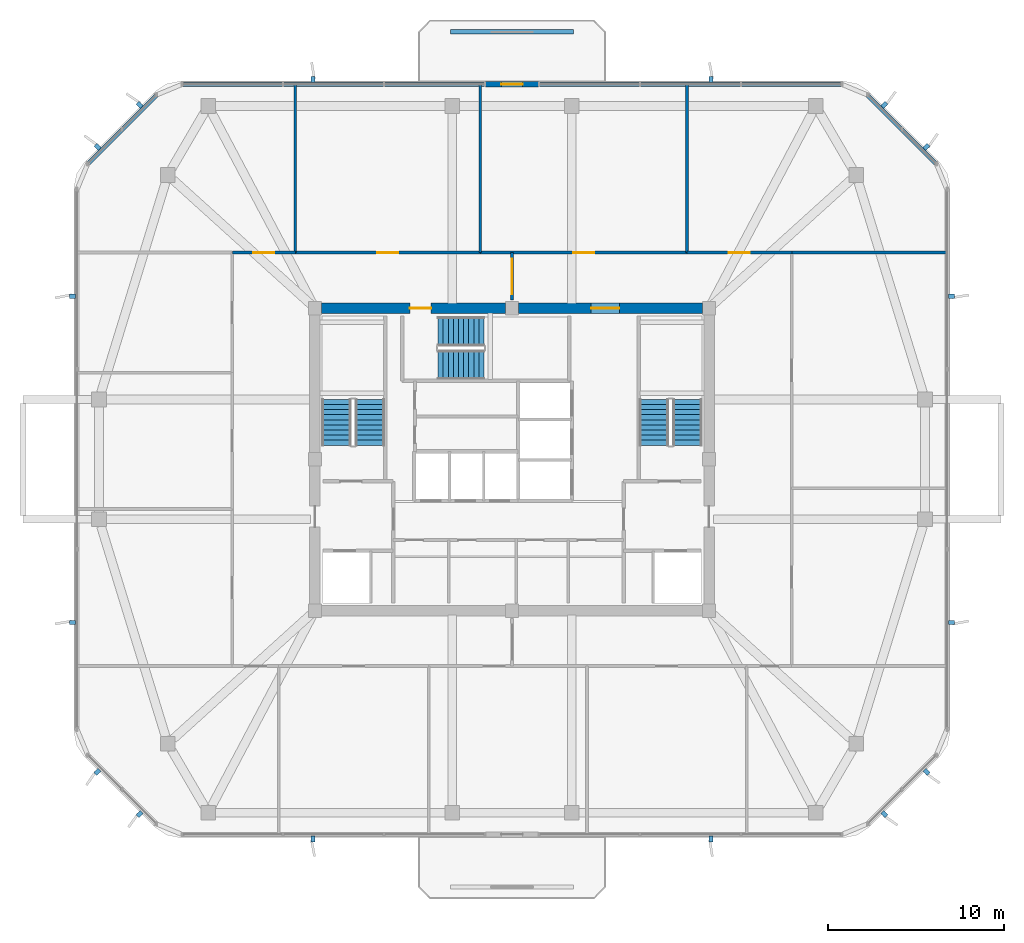
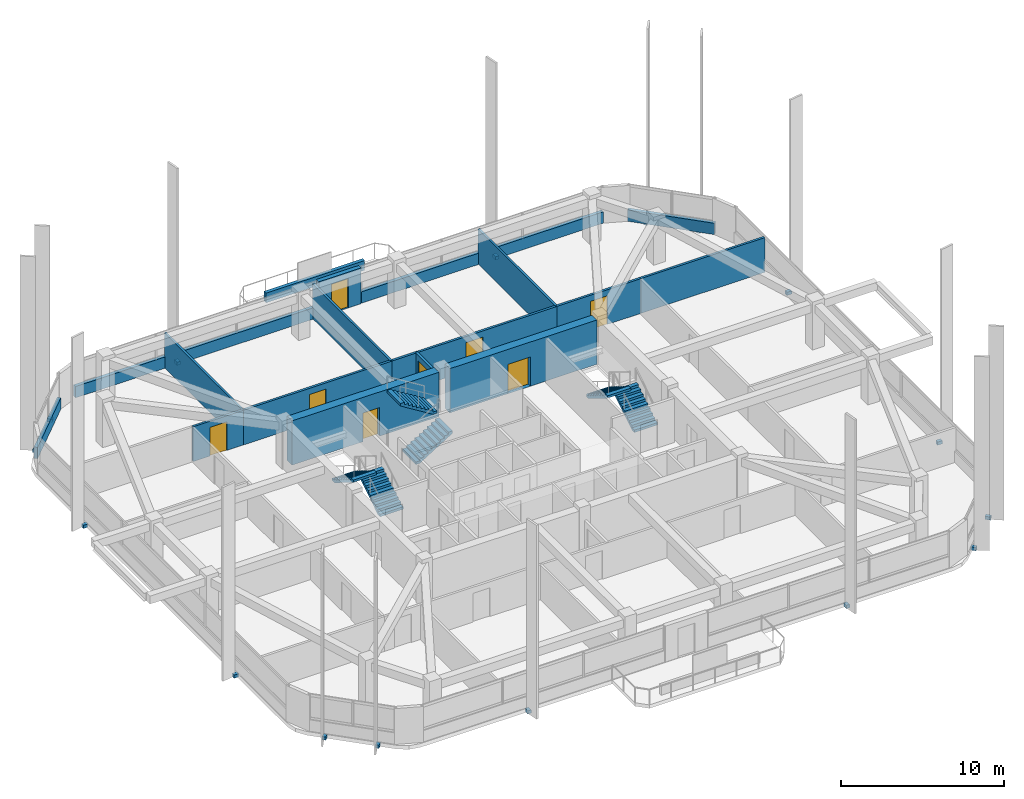
# One storey, part 9 of 12: 17 walls, 16 discrete accessories, 8 doors, 6 stair flights, 8 openings, 3 elements without a shape of their own.
"""IFC4 building model written with IfcOpenShell, lengths in metres."""

from ifc_helpers import new_model, si_unit, derived_unit, direction, frame, frame_2d, origin, origin_2d, place, context, subcontext, project, spatial, polyline, rectangle, outline, extrude, material, layer, layer_set, type_object, element, fill, aggregate, save


model = new_model("IFC4")

# Units and contexts
model_context = context("Model", 3, precision=1e-05, world=origin(), true_north=direction((0.0, 1.0)))
body_context = subcontext(model_context, "Body", "Model", "MODEL_VIEW")
ifc_project = project(units=[si_unit("LENGTHUNIT", "METRE"), si_unit("AREAUNIT", "SQUARE_METRE"), si_unit("VOLUMEUNIT", "CUBIC_METRE"), si_unit("PLANEANGLEUNIT", "RADIAN"), si_unit("MASSUNIT", "GRAM", prefix="KILO"), derived_unit("THERMALTRANSMITTANCEUNIT", [(si_unit("POWERUNIT", "WATT"), 1), (si_unit("LENGTHUNIT", "METRE"), -2), (si_unit("THERMODYNAMICTEMPERATUREUNIT", "KELVIN"), -1)])], contexts=[model_context])

# Site, building, storey
site_placement = place(None, origin())
site = spatial("IfcSite", under=ifc_project, at=site_placement, CompositionType="ELEMENT")
building_placement = place(site_placement, origin())
building = spatial("IfcBuilding", under=site, at=building_placement, Name="Koralith Skygarden Medical Center", CompositionType="ELEMENT")
storey_placement = place(building_placement, frame((0.0, 0.0, 268.02001953125)))
storey = spatial("IfcBuildingStorey", under=building, at=storey_placement, Name="L69", CompositionType="ELEMENT", Elevation=268.02001953125)

# Walls
ifc_material_1 = material(Name="Gypsum Board Partition")
ifc_layer_1 = layer(ifc_material_1, 0.14990234375)
ifc_layer_set_1 = layer_set([ifc_layer_1], Name="Gypsum Board Partition")
wall_type_1 = type_object("IfcWallType", Name="Clinical Acoustic Partition 150", PredefinedType="PARTITIONING", material=ifc_layer_set_1)
for number, where, z_axis, x_axis, name in (
    (1, (24.68603515625, 37.64990234375, 0.0), (0.0, 0.0, 1.0), (0.0, 1.0, 0.0), "L69 Clinical Acoustic Partition 150 W-PART-L69-N-01"),
    (2, (35.199951171875, 37.64990234375, 0.0), (0.0, 0.0, 1.0), (0.0, 1.0, 0.0), "L69 Clinical Acoustic Partition 150 W-PART-L69-N-02"),
    (3, (46.946044921875, 37.64990234375, 0.0), (0.0, 0.0, 1.0), (0.0, 1.0, 0.0), "L69 Clinical Acoustic Partition 150 W-PART-L69-N-03"),
):
    element("IfcWall", number, at=place(storey_placement, frame(where, z_axis=z_axis, x_axis=x_axis)), inside=storey, type_object=wall_type_1, Name=name, PredefinedType="PARTITIONING", context=body_context, shape_type="SweptSolid", body=[
        extrude(rectangle(XDim=9.550048828125, YDim=0.14990234375, at=frame_2d((4.77490234375, 0.0))), origin(), (0.0, 0.0, 1.0), 2.60986328125),
    ])
ifc_layer_2 = layer(ifc_material_1, 0.1650390625)
ifc_layer_set_2 = layer_set([ifc_layer_2], Name="Gypsum Board Partition")
wall_type_2 = type_object("IfcWallType", Name="Clinical Corridor Partition 165", PredefinedType="PARTITIONING", material=ifc_layer_set_2)
wall_1_placement = place(storey_placement, frame((52.89990234375, 37.64990234375, 0.0), z_axis=(0.0, 0.0, 1.0), x_axis=(1.0, 0.0, 0.0)))
element("IfcWall", 4, at=wall_1_placement, inside=storey, type_object=wall_type_2, Name="L69 Clinical Corridor Partition 165 W-WB-L69-NE", PredefinedType="PARTITIONING", context=body_context, shape_type="SweptSolid", body=[
    extrude(rectangle(XDim=8.800048828125, YDim=0.1650390625, at=frame_2d((4.39990234375, 0.0))), origin(), (0.0, 0.0, 1.0), 2.60986328125),
])

# Wall, opening, door
wall_2_placement = place(storey_placement, frame((21.10009765625, 37.64990234375, 0.0), z_axis=(0.0, 0.0, 1.0), x_axis=(1.0, 0.0, 0.0)))
wall_2 = element("IfcWall", 5, at=wall_2_placement, inside=storey, type_object=wall_type_2, Name="L69 Clinical Corridor Partition 165 W-CORR-L69-N-01", PredefinedType="PARTITIONING", context=body_context, shape_type="SweptSolid", body=[
    extrude(rectangle(XDim=3.5859375, YDim=0.1650390625, at=frame_2d((1.79296875, 0.0))), origin(), (0.0, 0.0, 1.0), 2.60986328125),
])
opening_1_placement = place(wall_2_placement, frame((1.193115234375, 0.0, 0.0)))
opening_1 = element("IfcOpeningElement", 6, at=opening_1_placement, cuts=wall_2, Name="Opening D-CLN", PredefinedType="OPENING", context=body_context, shape_type="SweptSolid", body=[
    extrude(rectangle(XDim=1.199951171875, YDim=2.14990234375, at=frame_2d((0.60009765625, 1.074951171875))), frame((0.0, 0.092529296875, 0.0), z_axis=(0.0, -1.0, 0.0), x_axis=(1.0, 0.0, 0.0)), (0.0, 0.0, 1.0), 0.18505859375),
])
ifc_material_2 = material(Name="Aluminium 6063-T6", Category="aluminium")
door_type_1 = type_object("IfcDoorType", Name="Clinical Corridor Door D-CLN 1200", OperationType="NOTDEFINED", PredefinedType="DOOR", material=ifc_material_2)
door_1_placement = place(opening_1_placement, origin())
door_1 = element("IfcDoor", 7, at=door_1_placement, inside=storey, type_object=door_type_1, Name="L69 Pulmonary Rehab Exercise Hall 01 Door", OperationType="SINGLE_SWING_RIGHT", OverallHeight=2.14990234375, OverallWidth=1.199951171875, PredefinedType="DOOR", context=body_context, shape_type="SweptSolid", body=[
    extrude(rectangle(XDim=1.199951171875, YDim=2.14990234375, at=frame_2d((0.60009765625, 1.074951171875))), frame((0.0, 0.02490234375, 0.0), z_axis=(0.0, -1.0, 0.0), x_axis=(1.0, 0.0, 0.0)), (0.0, 0.0, 1.0), 0.050048828125),
])
fill(opening_1, door_1)

wall_3_placement = place(storey_placement, frame((24.68603515625, 37.64990234375, 0.0), z_axis=(0.0, 0.0, 1.0), x_axis=(1.0, 0.0, 0.0)))
wall_3 = element("IfcWall", 8, at=wall_3_placement, inside=storey, type_object=wall_type_2, Name="L69 Clinical Corridor Partition 165 W-CORR-L69-N-02", PredefinedType="PARTITIONING", context=body_context, shape_type="SweptSolid", body=[
    extrude(rectangle(XDim=10.513916015625, YDim=0.1650390625, at=frame_2d((5.2568359375, 0.0))), origin(), (0.0, 0.0, 1.0), 2.60986328125),
])
opening_2_placement = place(wall_3_placement, frame((4.656982421875, 0.0, 0.0)))
opening_2 = element("IfcOpeningElement", 9, at=opening_2_placement, cuts=wall_3, Name="Opening D-CLN", PredefinedType="OPENING", context=body_context, shape_type="SweptSolid", body=[
    extrude(rectangle(XDim=1.199951171875, YDim=2.14990234375, at=frame_2d((0.60009765625, 1.074951171875))), frame((0.0, 0.092529296875, 0.0), z_axis=(0.0, -1.0, 0.0), x_axis=(1.0, 0.0, 0.0)), (0.0, 0.0, 1.0), 0.18505859375),
])
door_2_placement = place(opening_2_placement, origin())
door_2 = element("IfcDoor", 10, at=door_2_placement, inside=storey, type_object=door_type_1, Name="L69 Patient Smoothie Pantry 02 Door", OperationType="SINGLE_SWING_LEFT", OverallHeight=2.14990234375, OverallWidth=1.199951171875, PredefinedType="DOOR", context=body_context, shape_type="SweptSolid", body=[
    extrude(rectangle(XDim=1.199951171875, YDim=2.14990234375, at=frame_2d((0.60009765625, 1.074951171875))), frame((0.0, 0.02490234375, 0.0), z_axis=(0.0, -1.0, 0.0), x_axis=(1.0, 0.0, 0.0)), (0.0, 0.0, 1.0), 0.050048828125),
])
fill(opening_2, door_2)

wall_4_placement = place(storey_placement, frame((35.199951171875, 37.64990234375, 0.0), z_axis=(0.0, 0.0, 1.0), x_axis=(1.0, 0.0, 0.0)))
wall_4 = element("IfcWall", 11, at=wall_4_placement, inside=storey, type_object=wall_type_2, Name="L69 Clinical Corridor Partition 165 W-CORR-L69-N-03", PredefinedType="PARTITIONING", context=body_context, shape_type="SweptSolid", body=[
    extrude(rectangle(XDim=11.74609375, YDim=0.1650390625, at=frame_2d((5.873046875, 0.0))), origin(), (0.0, 0.0, 1.0), 2.60986328125),
])
opening_3_placement = place(wall_4_placement, frame((5.27294921875, 0.0, 0.0)))
opening_3 = element("IfcOpeningElement", 12, at=opening_3_placement, cuts=wall_4, Name="Opening D-CLN", PredefinedType="OPENING", context=body_context, shape_type="SweptSolid", body=[
    extrude(rectangle(XDim=1.199951171875, YDim=2.14990234375, at=frame_2d((0.60009765625, 1.074951171875))), frame((0.0, 0.092529296875, 0.0), z_axis=(0.0, -1.0, 0.0), x_axis=(1.0, 0.0, 0.0)), (0.0, 0.0, 1.0), 0.18505859375),
])
door_3_placement = place(opening_3_placement, origin())
door_3 = element("IfcDoor", 13, at=door_3_placement, inside=storey, type_object=door_type_1, Name="L69 Patient and Family Sky-Garden Day Lounge 03 Door", OperationType="SINGLE_SWING_RIGHT", OverallHeight=2.14990234375, OverallWidth=1.199951171875, PredefinedType="DOOR", context=body_context, shape_type="SweptSolid", body=[
    extrude(rectangle(XDim=1.199951171875, YDim=2.14990234375, at=frame_2d((0.60009765625, 1.074951171875))), frame((0.0, 0.02490234375, 0.0), z_axis=(0.0, -1.0, 0.0), x_axis=(1.0, 0.0, 0.0)), (0.0, 0.0, 1.0), 0.050048828125),
])
fill(opening_3, door_3)

wall_5_placement = place(storey_placement, frame((46.946044921875, 37.64990234375, 0.0), z_axis=(0.0, 0.0, 1.0), x_axis=(1.0, 0.0, 0.0)))
wall_5 = element("IfcWall", 14, at=wall_5_placement, inside=storey, type_object=wall_type_2, Name="L69 Clinical Corridor Partition 165 W-CORR-L69-N-04", PredefinedType="PARTITIONING", context=body_context, shape_type="SweptSolid", body=[
    extrude(rectangle(XDim=5.953857421875, YDim=0.1650390625, at=frame_2d((2.97705078125, 0.0))), origin(), (0.0, 0.0, 1.0), 2.60986328125),
])
opening_4_placement = place(wall_5_placement, frame((2.376953125, 0.0, 0.0)))
opening_4 = element("IfcOpeningElement", 15, at=opening_4_placement, cuts=wall_5, Name="Opening D-CLN", PredefinedType="OPENING", context=body_context, shape_type="SweptSolid", body=[
    extrude(rectangle(XDim=1.199951171875, YDim=2.14990234375, at=frame_2d((0.60009765625, 1.074951171875))), frame((0.0, 0.092529296875, 0.0), z_axis=(0.0, -1.0, 0.0), x_axis=(1.0, 0.0, 0.0)), (0.0, 0.0, 1.0), 0.18505859375),
])
door_4_placement = place(opening_4_placement, origin())
door_4 = element("IfcDoor", 16, at=door_4_placement, inside=storey, type_object=door_type_1, Name="L69 Respiratory Family Lounge 04 Door", OperationType="SINGLE_SWING_LEFT", OverallHeight=2.14990234375, OverallWidth=1.199951171875, PredefinedType="DOOR", context=body_context, shape_type="SweptSolid", body=[
    extrude(rectangle(XDim=1.199951171875, YDim=2.14990234375, at=frame_2d((0.60009765625, 1.074951171875))), frame((0.0, 0.02490234375, 0.0), z_axis=(0.0, -1.0, 0.0), x_axis=(1.0, 0.0, 0.0)), (0.0, 0.0, 1.0), 0.050048828125),
])
fill(opening_4, door_4)

ifc_layer_3 = layer(ifc_material_1, 0.179931640625)
ifc_layer_set_3 = layer_set([ifc_layer_3], Name="Gypsum Board Partition")
wall_type_3 = type_object("IfcWallType", Name="Group I-2 Smoke Barrier Wall 180", PredefinedType="PARTITIONING", material=ifc_layer_set_3)
wall_6_placement = place(storey_placement, frame((37.0, 34.949951171875, 0.0), z_axis=(0.0, 0.0, 1.0), x_axis=(0.0, 1.0, 0.0)))
wall_6 = element("IfcWall", 17, at=wall_6_placement, inside=storey, type_object=wall_type_3, Name="L69 Group I-2 Smoke Barrier Wall 180 W-SMK-L69-N", PredefinedType="PARTITIONING", context=body_context, shape_type="SweptSolid", body=[
    extrude(rectangle(XDim=2.699951171875, YDim=0.179931640625, at=frame_2d((1.35009765625, 0.0))), origin(), (0.0, 0.0, 1.0), 2.60986328125),
])
opening_5_placement = place(wall_6_placement, frame((0.35009765625, 0.0, 0.0)))
opening_5 = element("IfcOpeningElement", 18, at=opening_5_placement, cuts=wall_6, Name="Opening D-SMK", PredefinedType="OPENING", context=body_context, shape_type="SweptSolid", body=[
    extrude(rectangle(XDim=2.0, YDim=2.199951171875, at=frame_2d((1.0, 1.10009765625))), frame((0.0, 0.099853515625, 0.0), z_axis=(0.0, -1.0, 0.0), x_axis=(1.0, 0.0, 0.0)), (0.0, 0.0, 1.0), 0.199951171875),
])
ifc_material_3 = material(Name="Steel ASTM A500 Grade C", Category="steel")
door_type_2 = type_object("IfcDoorType", Name="Cross-Corridor Double Smoke Door FD60S 2000", OperationType="NOTDEFINED", PredefinedType="DOOR", material=ifc_material_3)
door_5_placement = place(opening_5_placement, origin())
door_5 = element("IfcDoor", 19, at=door_5_placement, inside=storey, type_object=door_type_2, Name="L69 N Smoke Compartment Cross-Corridor Door", OperationType="DOUBLE_DOOR_SINGLE_SWING", OverallHeight=2.199951171875, OverallWidth=2.0, PredefinedType="DOOR", context=body_context, shape_type="SweptSolid", body=[
    extrude(rectangle(XDim=2.0, YDim=2.199951171875, at=frame_2d((1.0, 1.10009765625))), frame((0.0, 0.02490234375, 0.0), z_axis=(0.0, -1.0, 0.0), x_axis=(1.0, 0.0, 0.0)), (0.0, 0.0, 1.0), 0.050048828125),
])
fill(opening_5, door_5)

# Walls
ifc_material_4 = material(Name="Warm Oolitic Limestone Cladding", Category="masonry")
ifc_layer_4 = layer(ifc_material_4, 0.239990234375)
ifc_layer_set_4 = layer_set([ifc_layer_4], Name="Warm Oolitic Limestone Cladding")
wall_type_4 = type_object("IfcWallType", Name="Limestone Spandrel Sill Backup Wall 240", PredefinedType="SOLIDWALL", material=ifc_layer_set_4)
wall_7_placement = place(storey_placement, frame((61.118896484375, 42.696044921875, 0.0), z_axis=(0.0, 0.0, 1.0), x_axis=(-0.707106781187, 0.707106781187, 0.0)))
element("IfcWall", 20, at=wall_7_placement, inside=storey, type_object=wall_type_4, Name="L69 Sill Spandrel NE", PredefinedType="SOLIDWALL", context=body_context, shape_type="SweptSolid", body=[
    extrude(rectangle(XDim=5.5478515625, YDim=0.239990234375, at=frame_2d((2.77392578125, 0.0))), origin(), (0.0, 0.0, 1.0), 0.85009765625),
])
wall_8_placement = place(storey_placement, frame((55.7451171875, 47.219970703125, 0.0), z_axis=(0.0, 0.0, 1.0), x_axis=(-1.0, 0.0, 0.0)))
element("IfcWall", 21, at=wall_8_placement, inside=storey, type_object=wall_type_4, Name="L69 Sill Spandrel N-L", PredefinedType="SOLIDWALL", context=body_context, shape_type="SweptSolid", body=[
    extrude(rectangle(XDim=17.2041015625, YDim=0.239990234375, at=frame_2d((8.60205078125, 0.0))), origin(), (0.0, 0.0, 1.0), 0.85009765625),
])
wall_9_placement = place(storey_placement, frame((35.4609375, 47.219970703125, 0.0), z_axis=(0.0, 0.0, 1.0), x_axis=(-1.0, 0.0, 0.0)))
element("IfcWall", 22, at=wall_9_placement, inside=storey, type_object=wall_type_4, Name="L69 Sill Spandrel N-R", PredefinedType="SOLIDWALL", context=body_context, shape_type="SweptSolid", body=[
    extrude(rectangle(XDim=17.2060546875, YDim=0.239990234375, at=frame_2d((8.60302734375, 0.0))), origin(), (0.0, 0.0, 1.0), 0.85009765625),
])
wall_10_placement = place(storey_placement, frame((16.803955078125, 46.618896484375, 0.0), z_axis=(0.0, 0.0, 1.0), x_axis=(-0.707106781187, -0.707106781187, 0.0)))
element("IfcWall", 23, at=wall_10_placement, inside=storey, type_object=wall_type_4, Name="L69 Sill Spandrel NW", PredefinedType="SOLIDWALL", context=body_context, shape_type="SweptSolid", body=[
    extrude(rectangle(XDim=5.5478515625, YDim=0.239990234375, at=frame_2d((2.77392578125, 0.0))), origin(), (0.0, 0.0, 1.0), 0.85009765625),
])

# Wall, opening, door
ifc_layer_5 = layer(ifc_material_4, 0.300048828125)
ifc_layer_set_5 = layer_set([ifc_layer_5], Name="Warm Oolitic Limestone Cladding")
wall_type_5 = type_object("IfcWallType", Name="Oolitic Limestone Insulated Facade Wall 300", PredefinedType="SOLIDWALL", material=ifc_layer_set_5)
wall_11_placement = place(storey_placement, frame((38.5009765625, 47.219970703125, 0.0), z_axis=(0.0, 0.0, 1.0), x_axis=(-1.0, 0.0, 0.0)))
wall_11 = element("IfcWall", 24, at=wall_11_placement, inside=storey, type_object=wall_type_5, Name="L69 Terrace Portal Wall N", PredefinedType="SOLIDWALL", context=body_context, shape_type="SweptSolid", body=[
    extrude(rectangle(XDim=3.0, YDim=0.300048828125, at=frame_2d((1.5, 0.0))), origin(), (0.0, 0.0, 1.0), 2.68994140625),
])
opening_6_placement = place(wall_11_placement, frame((0.89990234375, 0.0, 0.0)))
opening_6 = element("IfcOpeningElement", 25, at=opening_6_placement, cuts=wall_11, Name="Opening D-BAL", PredefinedType="OPENING", context=body_context, shape_type="SweptSolid", body=[
    extrude(rectangle(XDim=1.199951171875, YDim=2.199951171875, at=frame_2d((0.60009765625, 1.10009765625))), frame((0.0, 0.159912109375, 0.0), z_axis=(0.0, -1.0, 0.0), x_axis=(1.0, 0.0, 0.0)), (0.0, 0.0, 1.0), 0.320068359375),
])
door_type_3 = type_object("IfcDoorType", Name="Planted Balcony Glazed Terrace Door D-BAL 1200", OperationType="NOTDEFINED", PredefinedType="DOOR", material=ifc_material_2)
door_6_placement = place(opening_6_placement, origin())
door_6 = element("IfcDoor", 26, at=door_6_placement, inside=storey, type_object=door_type_3, Name="L69 N Outdoor Terrace Access Door", OperationType="SINGLE_SWING_RIGHT", OverallHeight=2.199951171875, OverallWidth=1.199951171875, PredefinedType="DOOR", context=body_context, shape_type="SweptSolid", body=[
    extrude(rectangle(XDim=1.199951171875, YDim=2.199951171875, at=frame_2d((0.60009765625, 1.10009765625))), frame((0.0, 0.02490234375, 0.0), z_axis=(0.0, -1.0, 0.0), x_axis=(1.0, 0.0, 0.0)), (0.0, 0.0, 1.0), 0.050048828125),
])
fill(opening_6, door_6)

# Wall
ifc_material_5 = material(Name="Precast concrete C40/50", Category="concrete")
ifc_layer_6 = layer(ifc_material_5, 0.25)
ifc_layer_set_6 = layer_set([ifc_layer_6], Name="Precast concrete C40/50")
wall_type_6 = type_object("IfcWallType", Name="Structural Concrete Balcony Planter Kerb 250", PredefinedType="PARAPET", material=ifc_layer_set_6)
wall_12_placement = place(storey_placement, frame((33.5, 50.199951171875, 0.0), z_axis=(0.0, 0.0, 1.0), x_axis=(1.0, 0.0, 0.0)))
element("IfcWall", 27, at=wall_12_placement, inside=storey, type_object=wall_type_6, Name="L69 N Structural Tree PLANTER Box", PredefinedType="PARAPET", context=body_context, shape_type="SweptSolid", body=[
    extrude(rectangle(XDim=7.0, YDim=0.25, at=frame_2d((3.5, 0.0))), origin(), (0.0, 0.0, 1.0), 0.719970703125),
])

# Wall, opening, door
ifc_material_6 = material(Name="Concrete C55/67", Category="concrete")
ifc_layer_7 = layer(ifc_material_6, 0.60009765625)
ifc_layer_set_7 = layer_set([ifc_layer_7], Name="Concrete C55/67")
wall_type_7 = type_object("IfcWallType", Name="Upper Core Shear Wall 600", PredefinedType="SHEAR", material=ifc_layer_set_7)
wall_13_placement = place(storey_placement, frame((47.824951171875, 34.5, 0.0), z_axis=(0.0, 0.0, 1.0), x_axis=(-1.0, 0.0, 0.0)))
wall_13 = element("IfcWall", 28, at=wall_13_placement, inside=storey, type_object=wall_type_7, Name="L69 Core Shear Wall Segment 5", PredefinedType="SHEAR", context=body_context, shape_type="SweptSolid", body=[
    extrude(rectangle(XDim=10.449951171875, YDim=0.60009765625, at=frame_2d((5.22509765625, 0.0))), origin(), (0.0, 0.0, 1.0), 3.320068359375),
])
opening_7_placement = place(wall_13_placement, frame((4.72509765625, 0.0, 0.0)))
opening_7 = element("IfcOpeningElement", 29, at=opening_7_placement, cuts=wall_13, Name="Opening D-DBL", PredefinedType="OPENING", context=body_context, shape_type="SweptSolid", body=[
    extrude(rectangle(XDim=1.60009765625, YDim=2.199951171875, at=frame_2d((0.800048828125, 1.10009765625))), frame((0.0, 0.31005859375, 0.0), z_axis=(0.0, -1.0, 0.0), x_axis=(1.0, 0.0, 0.0)), (0.0, 0.0, 1.0), 0.6201171875),
])
door_type_4 = type_object("IfcDoorType", Name="Double Clinical Suite Door D-DBL 1600", OperationType="NOTDEFINED", PredefinedType="DOOR", material=ifc_material_2)
door_7_placement = place(opening_7_placement, frame((1.60009765625, 0.0, 0.0), z_axis=(0.0, 0.0, 1.0), x_axis=(-1.0, 0.0, 0.0)))
door_7 = element("IfcDoor", 30, at=door_7_placement, inside=storey, type_object=door_type_4, Name="L69 North-East Corridor to Elevator Lobby Door", OperationType="DOUBLE_DOOR_SINGLE_SWING", OverallHeight=2.199951171875, OverallWidth=1.60009765625, PredefinedType="DOOR", context=body_context, shape_type="SweptSolid", body=[
    extrude(rectangle(XDim=1.60009765625, YDim=2.199951171875, at=frame_2d((0.800048828125, 1.10009765625))), frame((0.0, 0.02490234375, 0.0), z_axis=(0.0, -1.0, 0.0), x_axis=(1.0, 0.0, 0.0)), (0.0, 0.0, 1.0), 0.050048828125),
])
fill(opening_7, door_7)

wall_14_placement = place(storey_placement, frame((36.625, 34.5, 0.0), z_axis=(0.0, 0.0, 1.0), x_axis=(-1.0, 0.0, 0.0)))
wall_14 = element("IfcWall", 31, at=wall_14_placement, inside=storey, type_object=wall_type_7, Name="L69 Core Shear Wall Segment 6", PredefinedType="SHEAR", context=body_context, shape_type="SweptSolid", body=[
    extrude(rectangle(XDim=10.449951171875, YDim=0.60009765625, at=frame_2d((5.22509765625, 0.0))), origin(), (0.0, 0.0, 1.0), 3.320068359375),
])
opening_8_placement = place(wall_14_placement, frame((4.22509765625, 0.0, 0.0)))
opening_8 = element("IfcOpeningElement", 32, at=opening_8_placement, cuts=wall_14, Name="Opening D-ST60", PredefinedType="OPENING", context=body_context, shape_type="SweptSolid", body=[
    extrude(rectangle(XDim=1.199951171875, YDim=2.14990234375, at=frame_2d((0.60009765625, 1.074951171875))), frame((0.0, 0.31005859375, 0.0), z_axis=(0.0, -1.0, 0.0), x_axis=(1.0, 0.0, 0.0)), (0.0, 0.0, 1.0), 0.6201171875),
])
door_type_5 = type_object("IfcDoorType", Name="Smokeproof Stair Fire Door FD60S 1200", OperationType="NOTDEFINED", PredefinedType="DOOR", material=ifc_material_3)
door_8_placement = place(opening_8_placement, frame((1.199951171875, 0.0, 0.0), z_axis=(0.0, 0.0, 1.0), x_axis=(-1.0, 0.0, 0.0)))
door_8 = element("IfcDoor", 33, at=door_8_placement, inside=storey, type_object=door_type_5, Name="L69 Exit Stair ST3 Fire Door", OperationType="SINGLE_SWING_LEFT", OverallHeight=2.14990234375, OverallWidth=1.199951171875, PredefinedType="DOOR", context=body_context, shape_type="SweptSolid", body=[
    extrude(rectangle(XDim=1.199951171875, YDim=2.14990234375, at=frame_2d((0.60009765625, 1.074951171875))), frame((0.0, 0.02490234375, 0.0), z_axis=(0.0, -1.0, 0.0), x_axis=(1.0, 0.0, 0.0)), (0.0, 0.0, 1.0), 0.050048828125),
])
fill(opening_8, door_8)

# Stair, stair flights
ifc_material_7 = material(Name="Concrete C45/55", Category="concrete")
stair_type = type_object("IfcStairType", Name="Core Exit Dogleg Concrete Stair", PredefinedType="HALF_TURN_STAIR", material=ifc_material_7)
stair_1_placement = place(storey_placement, origin())
stair_1 = element("IfcStair", 34, at=stair_1_placement, inside=storey, type_object=stair_type, Name="L69 Smokeproof Exit Stair ST1", PredefinedType="HALF_TURN_STAIR")
stair_flight_type = type_object("IfcStairFlightType", Name="Core Exit Concrete Stair Flight 1650", PredefinedType="STRAIGHT", material=ifc_material_7)
stair_flight_1_placement = place(storey_placement, frame((28.925048828125, 26.699951171875, 0.0), z_axis=(0.0, 0.0, 1.0), x_axis=(0.0, 1.0, 0.0)))
stair_flight_1 = element("IfcStairFlight", 35, at=stair_flight_1_placement, type_object=stair_flight_type, Name="ST1 flight 1", NumberOfRisers=10, NumberOfTreads=9, PredefinedType="STRAIGHT", RiserHeight=0.18, TreadLength=0.29, context=body_context, shape_type="SweptSolid", body=[
    extrude(outline(polyline([(0.0, 0.0), (0.0, 0.179931640625), (0.2900390625, 0.179931640625), (0.2900390625, 0.360107421875), (0.580078125, 0.360107421875), (0.580078125, 0.5400390625), (0.8701171875, 0.5400390625), (0.8701171875, 0.719970703125), (1.159912109375, 0.719970703125), (1.159912109375, 0.89990234375), (1.449951171875, 0.89990234375), (1.449951171875, 1.080078125), (1.739990234375, 1.080078125), (1.739990234375, 1.260009765625), (2.030029296875, 1.260009765625), (2.030029296875, 1.43994140625), (2.320068359375, 1.43994140625), (2.320068359375, 1.6201171875), (2.610107421875, 1.6201171875), (2.610107421875, 1.800048828125), (2.610107421875, 1.443603515625), (0.2841796875, 0.0), (0.0, 0.0)])), frame((0.0, 0.824951171875, 0.0), z_axis=(0.0, -1.0, 0.0), x_axis=(1.0, 0.0, 0.0)), (0.0, 0.0, 1.0), 1.64990234375),
])
stair_flight_2_placement = place(storey_placement, frame((27.02490234375, 29.31005859375, 1.800048828125), z_axis=(0.0, 0.0, 1.0), x_axis=(0.0, -1.0, 0.0)))
stair_flight_2 = element("IfcStairFlight", 36, at=stair_flight_2_placement, type_object=stair_flight_type, Name="ST1 flight 2", NumberOfRisers=10, NumberOfTreads=9, PredefinedType="STRAIGHT", RiserHeight=0.18, TreadLength=0.29, context=body_context, shape_type="SweptSolid", body=[
    extrude(outline(polyline([(0.0, 0.0), (0.0, 0.179931640625), (0.2900390625, 0.179931640625), (0.2900390625, 0.360107421875), (0.580078125, 0.360107421875), (0.580078125, 0.5400390625), (0.8701171875, 0.5400390625), (0.8701171875, 0.719970703125), (1.159912109375, 0.719970703125), (1.159912109375, 0.89990234375), (1.449951171875, 0.89990234375), (1.449951171875, 1.080078125), (1.739990234375, 1.080078125), (1.739990234375, 1.260009765625), (2.030029296875, 1.260009765625), (2.030029296875, 1.43994140625), (2.320068359375, 1.43994140625), (2.320068359375, 1.6201171875), (2.610107421875, 1.6201171875), (2.610107421875, 1.800048828125), (2.610107421875, 1.443603515625), (0.2841796875, 0.0), (0.0, 0.0)])), frame((0.0, 0.824951171875, 0.0), z_axis=(0.0, -1.0, 0.0), x_axis=(1.0, 0.0, 0.0)), (0.0, 0.0, 1.0), 1.64990234375),
])
aggregate(stair_1, [stair_flight_1, stair_flight_2])

stair_2_placement = place(storey_placement, origin())
stair_2 = element("IfcStair", 37, at=stair_2_placement, inside=storey, type_object=stair_type, Name="L69 Smokeproof Exit Stair ST2", PredefinedType="HALF_TURN_STAIR")
stair_flight_3_placement = place(storey_placement, frame((46.97509765625, 26.699951171875, 0.0), z_axis=(0.0, 0.0, 1.0), x_axis=(0.0, 1.0, 0.0)))
stair_flight_3 = element("IfcStairFlight", 38, at=stair_flight_3_placement, type_object=stair_flight_type, Name="ST2 flight 1", NumberOfRisers=10, NumberOfTreads=9, PredefinedType="STRAIGHT", RiserHeight=0.18, TreadLength=0.29, context=body_context, shape_type="SweptSolid", body=[
    extrude(outline(polyline([(0.0, 0.0), (0.0, 0.179931640625), (0.2900390625, 0.179931640625), (0.2900390625, 0.360107421875), (0.580078125, 0.360107421875), (0.580078125, 0.5400390625), (0.8701171875, 0.5400390625), (0.8701171875, 0.719970703125), (1.159912109375, 0.719970703125), (1.159912109375, 0.89990234375), (1.449951171875, 0.89990234375), (1.449951171875, 1.080078125), (1.739990234375, 1.080078125), (1.739990234375, 1.260009765625), (2.030029296875, 1.260009765625), (2.030029296875, 1.43994140625), (2.320068359375, 1.43994140625), (2.320068359375, 1.6201171875), (2.610107421875, 1.6201171875), (2.610107421875, 1.800048828125), (2.610107421875, 1.443603515625), (0.2841796875, 0.0), (0.0, 0.0)])), frame((0.0, 0.824951171875, 0.0), z_axis=(0.0, -1.0, 0.0), x_axis=(1.0, 0.0, 0.0)), (0.0, 0.0, 1.0), 1.64990234375),
])
stair_flight_4_placement = place(storey_placement, frame((45.074951171875, 29.31005859375, 1.800048828125), z_axis=(0.0, 0.0, 1.0), x_axis=(0.0, -1.0, 0.0)))
stair_flight_4 = element("IfcStairFlight", 39, at=stair_flight_4_placement, type_object=stair_flight_type, Name="ST2 flight 2", NumberOfRisers=10, NumberOfTreads=9, PredefinedType="STRAIGHT", RiserHeight=0.18, TreadLength=0.29, context=body_context, shape_type="SweptSolid", body=[
    extrude(outline(polyline([(0.0, 0.0), (0.0, 0.179931640625), (0.2900390625, 0.179931640625), (0.2900390625, 0.360107421875), (0.580078125, 0.360107421875), (0.580078125, 0.5400390625), (0.8701171875, 0.5400390625), (0.8701171875, 0.719970703125), (1.159912109375, 0.719970703125), (1.159912109375, 0.89990234375), (1.449951171875, 0.89990234375), (1.449951171875, 1.080078125), (1.739990234375, 1.080078125), (1.739990234375, 1.260009765625), (2.030029296875, 1.260009765625), (2.030029296875, 1.43994140625), (2.320068359375, 1.43994140625), (2.320068359375, 1.6201171875), (2.610107421875, 1.6201171875), (2.610107421875, 1.800048828125), (2.610107421875, 1.443603515625), (0.2841796875, 0.0), (0.0, 0.0)])), frame((0.0, 0.824951171875, 0.0), z_axis=(0.0, -1.0, 0.0), x_axis=(1.0, 0.0, 0.0)), (0.0, 0.0, 1.0), 1.64990234375),
])
aggregate(stair_2, [stair_flight_3, stair_flight_4])

stair_3_placement = place(storey_placement, origin())
stair_3 = element("IfcStair", 40, at=stair_3_placement, inside=storey, type_object=stair_type, Name="L69 Smokeproof Exit Stair ST3", PredefinedType="HALF_TURN_STAIR")
stair_flight_5_placement = place(storey_placement, frame((32.800048828125, 31.27490234375, 0.0), z_axis=(0.0, 0.0, 1.0), x_axis=(1.0, 0.0, 0.0)))
stair_flight_5 = element("IfcStairFlight", 41, at=stair_flight_5_placement, type_object=stair_flight_type, Name="ST3 flight 1", NumberOfRisers=10, NumberOfTreads=9, PredefinedType="STRAIGHT", RiserHeight=0.18, TreadLength=0.29, context=body_context, shape_type="SweptSolid", body=[
    extrude(outline(polyline([(0.0, 0.0), (0.0, 0.179931640625), (0.2900390625, 0.179931640625), (0.2900390625, 0.360107421875), (0.580078125, 0.360107421875), (0.580078125, 0.5400390625), (0.8701171875, 0.5400390625), (0.8701171875, 0.719970703125), (1.159912109375, 0.719970703125), (1.159912109375, 0.89990234375), (1.449951171875, 0.89990234375), (1.449951171875, 1.080078125), (1.739990234375, 1.080078125), (1.739990234375, 1.260009765625), (2.030029296875, 1.260009765625), (2.030029296875, 1.43994140625), (2.320068359375, 1.43994140625), (2.320068359375, 1.6201171875), (2.610107421875, 1.6201171875), (2.610107421875, 1.800048828125), (2.610107421875, 1.443603515625), (0.2841796875, 0.0), (0.0, 0.0)])), frame((0.0, 0.824951171875, 0.0), z_axis=(0.0, -1.0, 0.0), x_axis=(1.0, 0.0, 0.0)), (0.0, 0.0, 1.0), 1.64990234375),
])
stair_flight_6_placement = place(storey_placement, frame((35.409912109375, 33.175048828125, 1.800048828125), z_axis=(0.0, 0.0, 1.0), x_axis=(-1.0, 0.0, 0.0)))
stair_flight_6 = element("IfcStairFlight", 42, at=stair_flight_6_placement, type_object=stair_flight_type, Name="ST3 flight 2", NumberOfRisers=10, NumberOfTreads=9, PredefinedType="STRAIGHT", RiserHeight=0.18, TreadLength=0.29, context=body_context, shape_type="SweptSolid", body=[
    extrude(outline(polyline([(0.0, 0.0), (0.0, 0.179931640625), (0.2900390625, 0.179931640625), (0.2900390625, 0.360107421875), (0.580078125, 0.360107421875), (0.580078125, 0.5400390625), (0.8701171875, 0.5400390625), (0.8701171875, 0.719970703125), (1.159912109375, 0.719970703125), (1.159912109375, 0.89990234375), (1.449951171875, 0.89990234375), (1.449951171875, 1.080078125), (1.739990234375, 1.080078125), (1.739990234375, 1.260009765625), (2.030029296875, 1.260009765625), (2.030029296875, 1.43994140625), (2.320068359375, 1.43994140625), (2.320068359375, 1.6201171875), (2.610107421875, 1.6201171875), (2.610107421875, 1.800048828125), (2.610107421875, 1.443603515625), (0.2841796875, 0.0), (0.0, 0.0)])), frame((0.0, 0.824951171875, 0.0), z_axis=(0.0, -1.0, 0.0), x_axis=(1.0, 0.0, 0.0)), (0.0, 0.0, 1.0), 1.64990234375),
])
aggregate(stair_3, [stair_flight_5, stair_flight_6])

# Discrete accessories
ifc_material_8 = material(Name="Steel ASTM A572 Grade 50", Category="steel")
discrete_accessory_type = type_object("IfcDiscreteAccessoryType", Name="Facade Fin Structural Anchor Bracket", PredefinedType="BRACKET", material=ifc_material_8)
for number, where, z_axis, x_axis, name in (
    (43, (25.68994140625, 4.320068359375, -0.26025390625), (0.0, 0.0, 1.0), (0.0, -1.0, 0.0), "L69 S Solar Fin Anchor Bracket 1"),
    (44, (48.31005859375, 4.320068359375, -0.26025390625), (0.0, 0.0, 1.0), (0.0, -1.0, 0.0), "L69 S Solar Fin Anchor Bracket 2"),
    (45, (58.157958984375, 5.743896484375, -0.26025390625), (0.0, 0.0, 1.0), (0.707106781187, -0.707106781187, 0.0), "L69 SE Solar Fin Anchor Bracket 1"),
    (46, (60.555908203125, 8.14208984375, -0.26025390625), (0.0, 0.0, 1.0), (0.707106781187, -0.707106781187, 0.0), "L69 SE Solar Fin Anchor Bracket 2"),
    (47, (61.97998046875, 16.6298828125, -0.26025390625), (0.0, 0.0, 1.0), (1.0, 0.0, 0.0), "L69 E Solar Fin Anchor Bracket 1"),
    (48, (61.97998046875, 35.169921875, -0.26025390625), (0.0, 0.0, 1.0), (1.0, 0.0, 0.0), "L69 E Solar Fin Anchor Bracket 2"),
    (49, (60.555908203125, 43.657958984375, -0.26025390625), (0.0, 0.0, 1.0), (0.707106781187, 0.707106781187, 0.0), "L69 NE Solar Fin Anchor Bracket 1"),
    (50, (58.157958984375, 46.055908203125, -0.26025390625), (0.0, 0.0, 1.0), (0.707106781187, 0.707106781187, 0.0), "L69 NE Solar Fin Anchor Bracket 2"),
    (51, (48.31005859375, 47.47998046875, -0.26025390625), (0.0, 0.0, 1.0), (0.0, 1.0, 0.0), "L69 N Solar Fin Anchor Bracket 1"),
    (52, (25.68994140625, 47.47998046875, -0.26025390625), (0.0, 0.0, 1.0), (0.0, 1.0, 0.0), "L69 N Solar Fin Anchor Bracket 2"),
    (53, (15.842041015625, 46.055908203125, -0.26025390625), (0.0, 0.0, 1.0), (-0.707106781187, 0.707106781187, 0.0), "L69 NW Solar Fin Anchor Bracket 1"),
    (54, (13.444091796875, 43.657958984375, -0.26025390625), (0.0, 0.0, 1.0), (-0.707106781187, 0.707106781187, 0.0), "L69 NW Solar Fin Anchor Bracket 2"),
    (55, (12.02001953125, 35.169921875, -0.26025390625), (0.0, 0.0, 1.0), (-1.0, 0.0, 0.0), "L69 W Solar Fin Anchor Bracket 1"),
    (56, (12.02001953125, 16.6298828125, -0.26025390625), (0.0, 0.0, 1.0), (-1.0, 0.0, 0.0), "L69 W Solar Fin Anchor Bracket 2"),
    (57, (13.444091796875, 8.14208984375, -0.26025390625), (0.0, 0.0, 1.0), (-0.707106781187, -0.707106781187, 0.0), "L69 SW Solar Fin Anchor Bracket 1"),
    (58, (15.842041015625, 5.743896484375, -0.26025390625), (0.0, 0.0, 1.0), (-0.707106781187, -0.707106781187, 0.0), "L69 SW Solar Fin Anchor Bracket 2"),
):
    element("IfcDiscreteAccessory", number, at=place(storey_placement, frame(where, z_axis=z_axis, x_axis=x_axis)), inside=storey, type_object=discrete_accessory_type, Name=name, PredefinedType="BRACKET", context=body_context, shape_type="SweptSolid", body=[
        extrude(rectangle(XDim=0.340087890625, YDim=0.239990234375, at=origin_2d()), origin(), (0.0, 0.0, 1.0), 0.239990234375),
    ])

save(model, "model.ifc")
